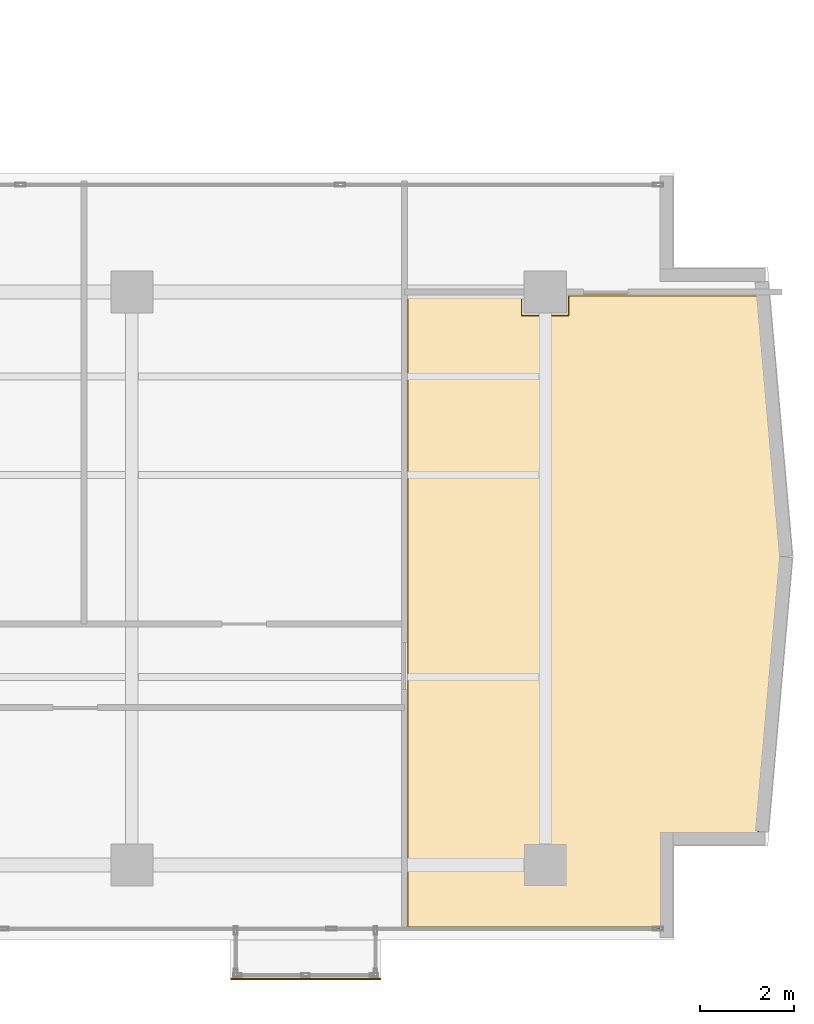
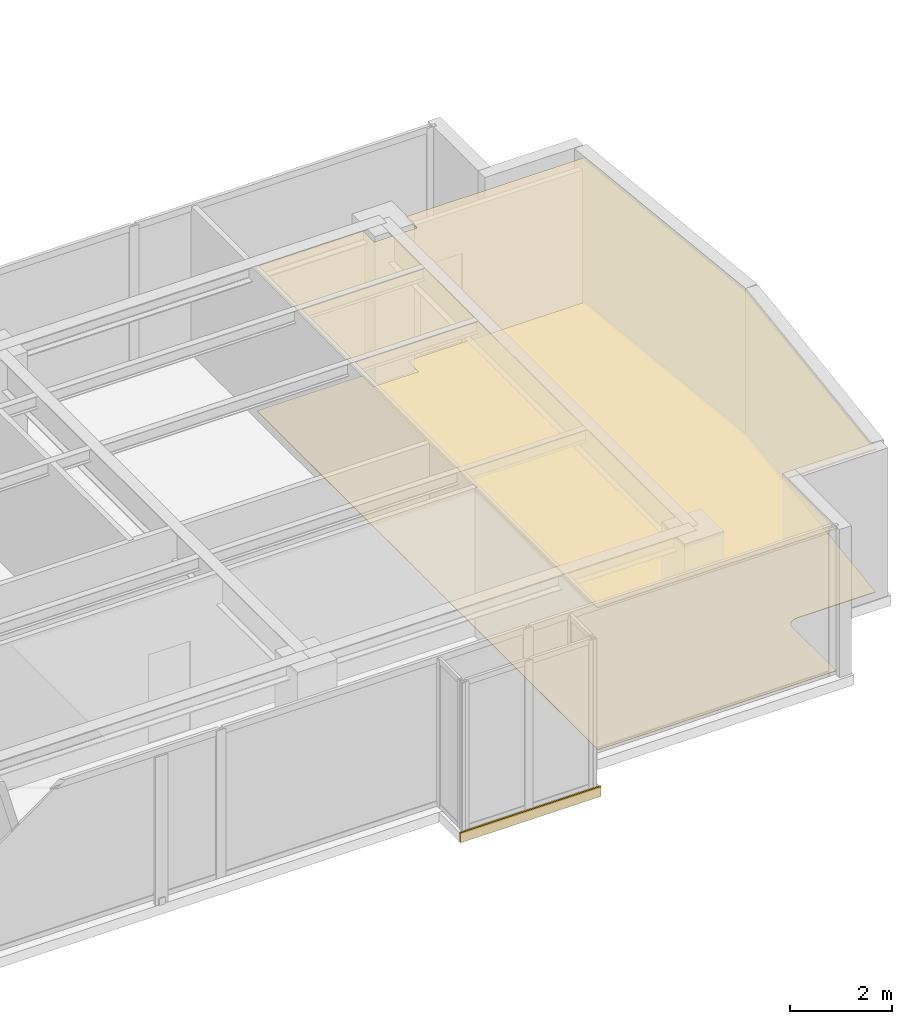
# One storey, part 22 of 23: 3 coverings.
"""IFC4 building model written with IfcOpenShell, lengths in metres."""

from ifc_helpers import new_model, si_unit, direction, frame, origin, origin_2d, place, context, subcontext, project, spatial, polyline, rectangle, outline, extrude, material, layer, layer_set, type_object, element, save


model = new_model("IFC4")

# Units and contexts
model_context = context("Model", 3, precision=1e-05, world=origin(), true_north=direction((0.0, 1.0)))
body_context = subcontext(model_context, "Body", "Model", "MODEL_VIEW")
ifc_project = project(units=[si_unit("LENGTHUNIT", "METRE"), si_unit("AREAUNIT", "SQUARE_METRE"), si_unit("VOLUMEUNIT", "CUBIC_METRE"), si_unit("PLANEANGLEUNIT", "RADIAN"), si_unit("MASSUNIT", "GRAM", prefix="KILO")], contexts=[model_context])

# Site, building, storey
site_placement = place(None, origin())
site = spatial("IfcSite", under=ifc_project, at=site_placement, CompositionType="ELEMENT")
building_placement = place(site_placement, origin())
building = spatial("IfcBuilding", under=site, at=building_placement, Name="Kolvaren Waterfront Exchange", CompositionType="ELEMENT")
storey_placement = place(building_placement, frame((0.0, 0.0, 289.39990234375)))
storey = spatial("IfcBuildingStorey", under=building, at=storey_placement, Name="L74", CompositionType="ELEMENT", Elevation=289.39990234375)

# Coverings
ifc_material_1 = material(Name="Mineral fibre acoustic ceiling tile")
ifc_layer_1 = layer(ifc_material_1, 0.02490234375, Name="Mineral fibre acoustic ceiling tile")
ifc_layer_set_1 = layer_set([ifc_layer_1], Name="Mineral fibre acoustic ceiling tile")
covering_type_1 = type_object("IfcCoveringType", Name="ARC-CEIL-ACOUSTIC-25", PredefinedType="CEILING", material=ifc_layer_set_1)
covering_1_placement = place(storey_placement, frame((0.0, 0.0, 3.445068359375)))
element("IfcCovering", 1, at=covering_1_placement, inside=storey, type_object=covering_type_1, Name="L74 acoustic suspended ceiling 2", PredefinedType="CEILING", context=body_context, shape_type="SweptSolid", body=[
    extrude(outline(polyline([(46.090087890625, 17.35498046875), (46.090087890625, 16.909912109375), (45.110107421875, 16.909912109375), (45.110107421875, 17.35498046875), (42.64501953125, 17.35498046875), (42.64501953125, 3.844970703125), (48.1220703125, 3.844970703125), (48.1220703125, 5.820068359375), (50.140625, 5.820068359375), (50.663330078125, 11.76318359375), (50.17138671875, 17.35498046875), (46.090087890625, 17.35498046875)])), origin(), (0.0, 0.0, 1.0), 0.025146484375),
])
ifc_material_2 = material(Name="Anodised bronze fascia aluminium", Category="aluminium")
ifc_layer_2 = layer(ifc_material_2, 0.034912109375, Name="Anodised bronze fascia aluminium")
ifc_layer_set_2 = layer_set([ifc_layer_2], Name="Anodised bronze fascia aluminium")
covering_type_2 = type_object("IfcCoveringType", Name="ARC-CLAD-BRONZE-35", PredefinedType="CLADDING", material=ifc_layer_set_2)
covering_2_placement = place(storey_placement, frame((40.5, 2.77001953125, -0.2197265625), z_axis=(0.0, 0.0, 1.0), x_axis=(1.0, 0.0, 0.0)))
element("IfcCovering", 2, at=covering_2_placement, inside=storey, type_object=covering_type_2, Name="L74 ribbed anodised bronze bay-box fascia", PredefinedType="CLADDING", context=body_context, shape_type="SweptSolid", body=[
    extrude(rectangle(XDim=3.199951171875, YDim=0.034912109375, at=origin_2d()), origin(), (0.0, 0.0, 1.0), 0.239990234375),
])
ifc_material_3 = material(Name="Slip-resistant porcelain tile")
ifc_layer_3 = layer(ifc_material_3, 0.014892578125, Name="Slip-resistant porcelain tile")
ifc_layer_set_3 = layer_set([ifc_layer_3], Name="Slip-resistant porcelain tile")
covering_type_3 = type_object("IfcCoveringType", Name="ARC-FLR-PORC-15", PredefinedType="FLOORING", material=ifc_layer_set_3)
covering_3_placement = place(storey_placement, origin())
element("IfcCovering", 3, at=covering_3_placement, inside=storey, type_object=covering_type_3, Name="L74 floor finish 2", PredefinedType="FLOORING", context=body_context, shape_type="SweptSolid", body=[
    extrude(outline(polyline([(42.679931640625, 17.320068359375), (42.679931640625, 3.8798828125), (48.10205078125, 3.8798828125), (48.10205078125, 5.60009765625), (48.103271484375, 5.62353515625), (48.106689453125, 5.646728515625), (48.1123046875, 5.669677734375), (48.120361328125, 5.69189453125), (48.13037109375, 5.713134765625), (48.142578125, 5.7333984375), (48.156494140625, 5.752197265625), (48.17236328125, 5.769775390625), (48.189697265625, 5.785400390625), (48.208740234375, 5.799560546875), (48.22900390625, 5.811767578125), (48.250244140625, 5.82177734375), (48.2724609375, 5.82958984375), (48.29541015625, 5.83544921875), (48.318603515625, 5.8388671875), (48.342041015625, 5.840087890625), (50.122314453125, 5.840087890625), (50.643310546875, 11.76318359375), (50.154541015625, 17.320068359375), (46.110107421875, 17.320068359375), (46.110107421875, 16.889892578125), (45.090087890625, 16.889892578125), (45.090087890625, 17.320068359375), (42.679931640625, 17.320068359375)])), origin(), (0.0, 0.0, 1.0), 0.01513671875),
])

save(model, "model.ifc")
